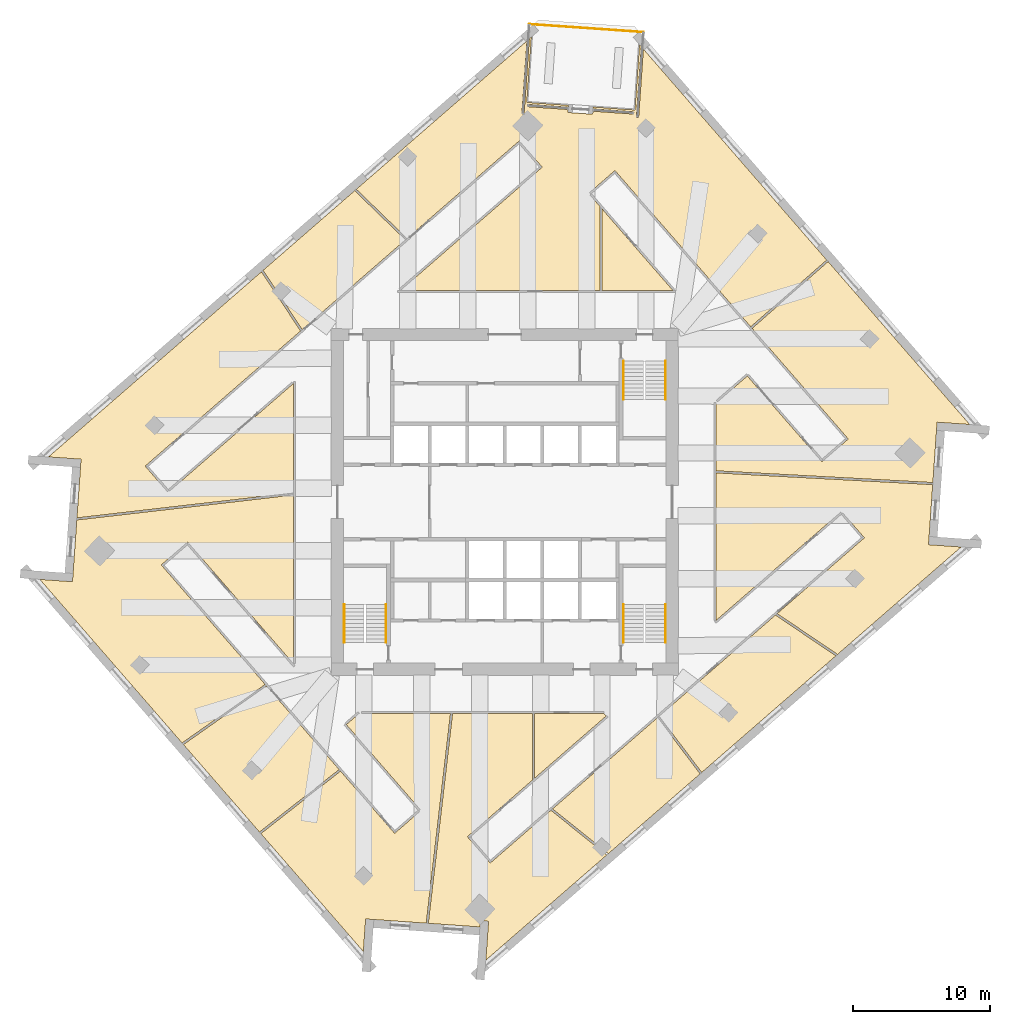
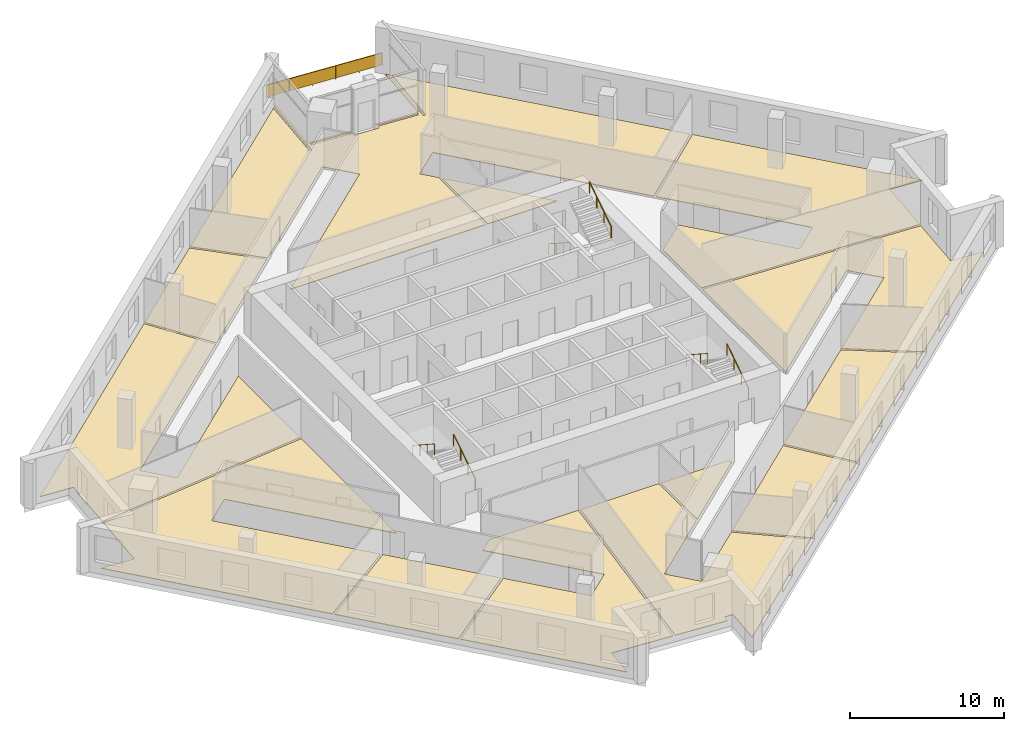
# One storey, part 10 of 11: 13 coverings, 7 railings.
"""IFC4 building model written with IfcOpenShell, lengths in metres."""

from ifc_helpers import new_model, si_unit, direction, frame, origin, origin_2d, place, context, subcontext, project, spatial, polyline, rectangle, circle, outline, extrude, material, layer, layer_set, type_object, element, save


model = new_model("IFC4")

# Units and contexts
model_context = context("Model", 3, precision=1e-05, world=origin(), true_north=direction((0.0, 1.0)))
body_context = subcontext(model_context, "Body", "Model", "MODEL_VIEW")
ifc_project = project(units=[si_unit("LENGTHUNIT", "METRE"), si_unit("AREAUNIT", "SQUARE_METRE"), si_unit("VOLUMEUNIT", "CUBIC_METRE"), si_unit("PLANEANGLEUNIT", "RADIAN"), si_unit("MASSUNIT", "GRAM", prefix="KILO")], contexts=[model_context])

# Site, building, storey
site_placement = place(None, origin())
site = spatial("IfcSite", under=ifc_project, at=site_placement, CompositionType="ELEMENT")
building_placement = place(site_placement, origin())
building = spatial("IfcBuilding", under=site, at=building_placement, Name="Dilmun Exchange Tower", CompositionType="ELEMENT")
storey_placement = place(building_placement, frame((0.0, 0.0, 189.300048828125)))
storey = spatial("IfcBuildingStorey", under=building, at=storey_placement, Name="L44", CompositionType="ELEMENT", Elevation=189.300048828125)

# Coverings
ifc_material_1 = material(Name="Carpet floor finish 50")
ifc_layer_1 = layer(ifc_material_1, 0.050048828125)
ifc_layer_set_1 = layer_set([ifc_layer_1], Name="Carpet floor finish 50")
covering_type_1 = type_object("IfcCoveringType", Name="Carpet floor finish 50", PredefinedType="FLOORING", material=ifc_layer_set_1)
covering_1_placement = place(storey_placement, origin())
element("IfcCovering", 1, at=covering_1_placement, inside=storey, type_object=covering_type_1, Name="Carpet floor finish 50 Members lounge", PredefinedType="FLOORING", context=body_context, shape_type="SweptSolid", body=[
    extrude(outline(polyline([(-23.210693359375, -2.935302734375), (-25.13525390625, -4.6083984375), (-17.530029296875, -13.357177734375), (-23.617919921875, -17.640625), (-34.026611328125, -5.666748046875), (-31.639404296875, -5.833740234375), (-31.63916015625, -5.833740234375), (-31.638916015625, -5.833740234375), (-31.638916015625, -5.833740234375), (-31.638671875, -5.833740234375), (-31.638427734375, -5.83349609375), (-31.63818359375, -5.83349609375), (-31.63818359375, -5.83349609375), (-31.637939453125, -5.833251953125), (-31.6376953125, -5.8330078125), (-31.6376953125, -5.8330078125), (-31.637451171875, -5.832763671875), (-31.637451171875, -5.832763671875), (-31.637451171875, -5.83251953125), (-31.63720703125, -5.832275390625), (-31.63720703125, -5.83203125), (-31.63720703125, -5.831787109375), (-31.595458984375, -5.23388671875), (-31.595458984375, -5.23388671875), (-31.595458984375, -5.233642578125), (-31.59521484375, -5.2333984375), (-31.321533203125, -1.318359375), (-15.47509765625, 0.508544921875), (-15.47509765625, -11.834228515625), (-23.210693359375, -2.935302734375)])), origin(), (0.0, 0.0, 1.0), 0.050048828125),
])
covering_2_placement = place(storey_placement, origin())
element("IfcCovering", 2, at=covering_2_placement, inside=storey, type_object=covering_type_1, Name="Carpet floor finish 50 Members library 1", PredefinedType="FLOORING", context=body_context, shape_type="SweptSolid", body=[
    extrude(outline(polyline([(-15.47509765625, 8.66650390625), (-15.47509765625, 0.659423828125), (-31.31103515625, -1.166259765625), (-31.052734375, 2.52587890625), (-31.052734375, 2.52587890625), (-31.010986328125, 3.124267578125), (-31.010986328125, 3.12451171875), (-31.010986328125, 3.124755859375), (-31.010986328125, 3.125), (-31.010986328125, 3.125), (-31.010986328125, 3.125244140625), (-31.01123046875, 3.12548828125), (-31.01123046875, 3.12548828125), (-31.011474609375, 3.125732421875), (-31.01171875, 3.1259765625), (-31.01171875, 3.126220703125), (-31.011962890625, 3.126220703125), (-31.01220703125, 3.126220703125), (-31.01220703125, 3.126220703125), (-31.012451171875, 3.12646484375), (-31.0126953125, 3.12646484375), (-31.0126953125, 3.12646484375), (-33.39990234375, 3.29345703125), (-17.8037109375, 16.851318359375), (-14.939453125, 12.5107421875), (-26.313232421875, 2.62353515625), (-24.640380859375, 0.69921875), (-15.47509765625, 8.66650390625)])), origin(), (0.0, 0.0, 1.0), 0.050048828125),
])
covering_3_placement = place(storey_placement, origin())
element("IfcCovering", 3, at=covering_3_placement, inside=storey, type_object=covering_type_1, Name="Carpet floor finish 50 Serviced office 1", PredefinedType="FLOORING", context=body_context, shape_type="SweptSolid", body=[
    extrude(outline(polyline([(-17.9521484375, -24.158203125), (-23.51904296875, -17.75439453125), (-17.430908203125, -13.470947265625), (-12.117919921875, -19.5830078125), (-17.9521484375, -24.158203125)])), origin(), (0.0, 0.0, 1.0), 0.050048828125),
])
covering_4_placement = place(storey_placement, origin())
element("IfcCovering", 4, at=covering_4_placement, inside=storey, type_object=covering_type_1, Name="Carpet floor finish 50 Serviced office 2", PredefinedType="FLOORING", context=body_context, shape_type="SweptSolid", body=[
    extrude(outline(polyline([(-14.8251953125, 12.610107421875), (-17.689453125, 16.950439453125), (-10.982421875, 22.78076171875), (-7.26611328125, 19.180908203125), (-14.8251953125, 12.610107421875)])), origin(), (0.0, 0.0, 1.0), 0.050048828125),
])
covering_5_placement = place(storey_placement, origin())
element("IfcCovering", 5, at=covering_5_placement, inside=storey, type_object=covering_type_1, Name="Carpet floor finish 50 Serviced office 3", PredefinedType="FLOORING", context=body_context, shape_type="SweptSolid", body=[
    extrude(outline(polyline([(-12.01953125, -19.6962890625), (-8.0615234375, -24.249267578125), (-6.13720703125, -22.576416015625), (-11.599609375, -16.29248046875), (-10.658935546875, -15.47509765625), (-3.972412109375, -15.47509765625), (-5.748291015625, -30.827392578125), (-9.57958984375, -30.5595703125), (-9.57958984375, -30.5595703125), (-9.57958984375, -30.5595703125), (-10.17822265625, -30.517578125), (-10.178466796875, -30.517578125), (-10.1787109375, -30.517578125), (-10.1787109375, -30.517578125), (-10.178955078125, -30.517822265625), (-10.17919921875, -30.517822265625), (-10.179443359375, -30.517822265625), (-10.179443359375, -30.51806640625), (-10.1796875, -30.518310546875), (-10.1796875, -30.518310546875), (-10.179931640625, -30.518310546875), (-10.18017578125, -30.5185546875), (-10.18017578125, -30.518798828125), (-10.18017578125, -30.51904296875), (-10.180419921875, -30.51904296875), (-10.180419921875, -30.519287109375), (-10.180419921875, -30.51953125), (-10.347412109375, -32.90673828125), (-17.853759765625, -24.271728515625), (-12.01953125, -19.6962890625)])), origin(), (0.0, 0.0, 1.0), 0.050048828125),
])
covering_6_placement = place(storey_placement, origin())
element("IfcCovering", 6, at=covering_6_placement, inside=storey, type_object=covering_type_1, Name="Carpet floor finish 50 Serviced office 4", PredefinedType="FLOORING", context=body_context, shape_type="SweptSolid", body=[
    extrude(outline(polyline([(-3.8212890625, -15.47509765625), (2.04248046875, -15.47509765625), (2.04248046875, -20.343017578125), (-2.737060546875, -24.497802734375), (-1.064208984375, -26.42236328125), (3.377197265625, -22.561767578125), (7.464111328125, -25.83935546875), (-1.386962890625, -33.533447265625), (-1.188232421875, -30.6904296875), (-1.188232421875, -30.690185546875), (-1.188232421875, -30.68994140625), (-1.188232421875, -30.689697265625), (-1.188232421875, -30.689697265625), (-1.1884765625, -30.689453125), (-1.1884765625, -30.689208984375), (-1.188720703125, -30.689208984375), (-1.188720703125, -30.68896484375), (-1.18896484375, -30.688720703125), (-1.18896484375, -30.688720703125), (-1.189208984375, -30.6884765625), (-1.189208984375, -30.6884765625), (-1.189453125, -30.6884765625), (-1.189697265625, -30.688232421875), (-1.18994140625, -30.688232421875), (-1.190185546875, -30.688232421875), (-1.78857421875, -30.646484375), (-1.788818359375, -30.646484375), (-1.7890625, -30.646484375), (-1.789306640625, -30.646484375), (-1.789306640625, -30.646484375), (-1.78955078125, -30.646484375), (-1.789794921875, -30.646484375), (-1.789794921875, -30.646728515625), (-1.7900390625, -30.64697265625), (-1.790283203125, -30.64697265625), (-1.790283203125, -30.647216796875), (-1.79052734375, -30.647216796875), (-1.79052734375, -30.6474609375), (-1.79052734375, -30.647705078125), (-1.790771484375, -30.64794921875), (-1.790771484375, -30.64794921875), (-1.790771484375, -30.648193359375), (-1.822509765625, -31.10205078125), (-5.598388671875, -30.837890625), (-3.8212890625, -15.47509765625)])), origin(), (0.0, 0.0, 1.0), 0.050048828125),
])
covering_7_placement = place(storey_placement, origin())
element("IfcCovering", 7, at=covering_7_placement, inside=storey, type_object=covering_type_1, Name="Carpet floor finish 50 Garden lounge", PredefinedType="FLOORING", context=body_context, shape_type="SweptSolid", body=[
    extrude(outline(polyline([(1.064208984375, 26.42236328125), (-7.152587890625, 19.27978515625), (-10.868896484375, 22.879638671875), (1.621826171875, 33.737548828125), (1.248291015625, 28.394775390625), (1.248291015625, 28.39453125), (1.248291015625, 28.394287109375), (1.248291015625, 28.394287109375), (1.248291015625, 28.39404296875), (1.248291015625, 28.393798828125), (1.24853515625, 28.393798828125), (1.24853515625, 28.3935546875), (1.248779296875, 28.393310546875), (1.248779296875, 28.393310546875), (1.2490234375, 28.39306640625), (1.2490234375, 28.39306640625), (1.249267578125, 28.392822265625), (1.24951171875, 28.392822265625), (1.249755859375, 28.392822265625), (1.25, 28.392578125), (1.25, 28.392578125), (1.40966796875, 28.381591796875), (1.409912109375, 28.381591796875), (1.41015625, 28.381591796875), (1.410400390625, 28.381591796875), (1.410400390625, 28.381591796875), (1.41064453125, 28.381591796875), (1.410888671875, 28.3818359375), (1.410888671875, 28.3818359375), (1.4111328125, 28.382080078125), (1.411376953125, 28.382080078125), (1.411376953125, 28.38232421875), (1.41162109375, 28.382568359375), (1.41162109375, 28.382568359375), (1.41162109375, 28.3828125), (1.41162109375, 28.383056640625), (1.411865234375, 28.38330078125), (1.411865234375, 28.38330078125), (1.796875, 33.8896484375), (1.949462890625, 34.0224609375), (1.614990234375, 29.239013671875), (4.669677734375, 29.025390625), (4.65966796875, 28.882568359375), (1.6796875, 29.091064453125), (1.6796875, 29.091064453125), (1.679443359375, 29.091064453125), (1.67919921875, 29.091064453125), (1.678955078125, 29.0908203125), (1.678955078125, 29.0908203125), (1.6787109375, 29.0908203125), (1.678466796875, 29.090576171875), (1.678466796875, 29.090576171875), (1.67822265625, 29.09033203125), (1.677978515625, 29.090087890625), (1.677978515625, 29.090087890625), (1.677978515625, 29.08984375), (1.677734375, 29.089599609375), (1.677734375, 29.089599609375), (1.677734375, 29.08935546875), (1.677734375, 29.089111328125), (1.66650390625, 28.929443359375), (1.66650390625, 28.92919921875), (1.66650390625, 28.92919921875), (1.66650390625, 28.928955078125), (1.66650390625, 28.9287109375), (1.666748046875, 28.9287109375), (1.666748046875, 28.928466796875), (1.6669921875, 28.92822265625), (1.6669921875, 28.927978515625), (1.6669921875, 28.927978515625), (1.667236328125, 28.927734375), (1.66748046875, 28.927734375), (1.66748046875, 28.927490234375), (1.667724609375, 28.927490234375), (1.66796875, 28.927490234375), (1.668212890625, 28.927490234375), (1.66845703125, 28.927490234375), (4.648193359375, 28.718994140625), (4.633056640625, 28.501708984375), (4.633056640625, 28.50146484375), (4.633056640625, 28.501220703125), (4.633056640625, 28.5009765625), (4.633056640625, 28.500732421875), (4.63330078125, 28.50048828125), (4.63330078125, 28.50048828125), (4.63330078125, 28.500244140625), (4.633544921875, 28.5), (4.633544921875, 28.5), (4.6337890625, 28.499755859375), (4.6337890625, 28.499755859375), (4.634033203125, 28.49951171875), (4.63427734375, 28.49951171875), (4.634521484375, 28.49951171875), (4.634521484375, 28.49951171875), (4.634765625, 28.49951171875), (6.430419921875, 28.373779296875), (6.4306640625, 28.373779296875), (6.430908203125, 28.373779296875), (6.430908203125, 28.3740234375), (6.43115234375, 28.3740234375), (6.431396484375, 28.3740234375), (6.431640625, 28.374267578125), (6.431640625, 28.374267578125), (6.431884765625, 28.37451171875), (6.431884765625, 28.37451171875), (6.43212890625, 28.374755859375), (6.432373046875, 28.375), (6.432373046875, 28.375), (6.4326171875, 28.375244140625), (6.4326171875, 28.37548828125), (6.4326171875, 28.37548828125), (6.4326171875, 28.375732421875), (6.44775390625, 28.59326171875), (9.427490234375, 28.384765625), (9.427734375, 28.384765625), (9.427978515625, 28.384765625), (9.42822265625, 28.384765625), (9.428466796875, 28.385009765625), (9.428466796875, 28.385009765625), (9.4287109375, 28.385009765625), (9.428955078125, 28.38525390625), (9.428955078125, 28.38525390625), (9.42919921875, 28.385498046875), (9.42919921875, 28.385498046875), (9.429443359375, 28.3857421875), (9.429443359375, 28.385986328125), (9.4296875, 28.385986328125), (9.4296875, 28.38623046875), (9.4296875, 28.386474609375), (9.4296875, 28.38671875), (9.44091796875, 28.54638671875), (9.44091796875, 28.54638671875), (9.44091796875, 28.546630859375), (9.44091796875, 28.546875), (9.44091796875, 28.547119140625), (9.440673828125, 28.547119140625), (9.440673828125, 28.54736328125), (9.4404296875, 28.547607421875), (9.4404296875, 28.547607421875), (9.440185546875, 28.5478515625), (9.440185546875, 28.548095703125), (9.43994140625, 28.548095703125), (9.439697265625, 28.548095703125), (9.439697265625, 28.54833984375), (9.439453125, 28.54833984375), (9.439208984375, 28.54833984375), (9.43896484375, 28.54833984375), (6.459228515625, 28.7568359375), (6.46923828125, 28.8994140625), (9.523681640625, 28.685791015625), (9.8583984375, 33.46923828125), (9.990966796875, 33.316650390625), (9.6298828125, 28.152099609375), (9.6298828125, 28.152099609375), (9.6298828125, 28.15185546875), (9.6298828125, 28.151611328125), (9.6298828125, 28.1513671875), (9.630126953125, 28.1513671875), (9.630126953125, 28.151123046875), (9.63037109375, 28.15087890625), (9.63037109375, 28.15087890625), (9.630615234375, 28.150634765625), (9.630615234375, 28.150390625), (9.630859375, 28.150390625), (9.631103515625, 28.150390625), (9.631103515625, 28.150146484375), (9.63134765625, 28.150146484375), (9.631591796875, 28.150146484375), (9.6318359375, 28.150146484375), (9.79150390625, 28.138916015625), (9.79150390625, 28.138916015625), (9.791748046875, 28.138916015625), (9.7919921875, 28.138916015625), (9.7919921875, 28.138916015625), (9.792236328125, 28.13916015625), (9.79248046875, 28.13916015625), (9.792724609375, 28.139404296875), (9.792724609375, 28.139404296875), (9.79296875, 28.139404296875), (9.793212890625, 28.1396484375), (9.793212890625, 28.139892578125), (9.793212890625, 28.139892578125), (9.79345703125, 28.14013671875), (9.79345703125, 28.140380859375), (9.79345703125, 28.140625), (9.79345703125, 28.140869140625), (10.143310546875, 33.1416015625), (23.561279296875, 17.705810546875), (18.0, 12.81640625), (8.0615234375, 24.249267578125), (6.13720703125, 22.576416015625), (6.97998046875, 21.606689453125), (6.97998046875, 15.47509765625), (-7.642578125, 15.47509765625), (2.737060546875, 24.497802734375), (1.064208984375, 26.42236328125)])), origin(), (0.0, 0.0, 1.0), 0.050048828125),
])
covering_8_placement = place(storey_placement, origin())
element("IfcCovering", 8, at=covering_8_placement, inside=storey, type_object=covering_type_1, Name="Carpet floor finish 50 Serviced office 5", PredefinedType="FLOORING", context=body_context, shape_type="SweptSolid", body=[
    extrude(outline(polyline([(11.18408203125, -15.775146484375), (14.29931640625, -19.8974609375), (7.5791015625, -25.739501953125), (3.4921875, -22.461669921875), (11.18408203125, -15.775146484375)])), origin(), (0.0, 0.0, 1.0), 0.050048828125),
])
covering_9_placement = place(storey_placement, origin())
element("IfcCovering", 9, at=covering_9_placement, inside=storey, type_object=covering_type_1, Name="Carpet floor finish 50 Serviced office 6", PredefinedType="FLOORING", context=body_context, shape_type="SweptSolid", body=[
    extrude(outline(polyline([(11.297607421875, -15.676513671875), (19.8125, -8.27490234375), (24.234130859375, -11.26123046875), (14.41259765625, -19.798828125), (11.297607421875, -15.676513671875)])), origin(), (0.0, 0.0, 1.0), 0.050048828125),
])
covering_10_placement = place(storey_placement, origin())
element("IfcCovering", 10, at=covering_10_placement, inside=storey, type_object=covering_type_1, Name="Carpet floor finish 50 Serviced office 7", PredefinedType="FLOORING", context=body_context, shape_type="SweptSolid", body=[
    extrude(outline(polyline([(19.929443359375, -8.1728515625), (26.313232421875, -2.62353515625), (24.640380859375, -0.69921875), (15.47509765625, -8.66650390625), (15.47509765625, 2.127685546875), (31.318115234375, 1.269287109375), (31.052734375, -2.52587890625), (31.052734375, -2.52587890625), (31.010986328125, -3.124267578125), (31.010986328125, -3.12451171875), (31.010986328125, -3.124755859375), (31.010986328125, -3.125), (31.010986328125, -3.125), (31.010986328125, -3.125244140625), (31.01123046875, -3.12548828125), (31.01123046875, -3.12548828125), (31.011474609375, -3.125732421875), (31.01171875, -3.1259765625), (31.01171875, -3.126220703125), (31.011962890625, -3.126220703125), (31.01220703125, -3.126220703125), (31.01220703125, -3.126220703125), (31.012451171875, -3.12646484375), (31.0126953125, -3.12646484375), (31.0126953125, -3.12646484375), (33.39990234375, -3.29345703125), (24.351318359375, -11.159423828125), (19.929443359375, -8.1728515625)])), origin(), (0.0, 0.0, 1.0), 0.050048828125),
])
covering_11_placement = place(storey_placement, origin())
element("IfcCovering", 11, at=covering_11_placement, inside=storey, type_object=covering_type_1, Name="Carpet floor finish 50 Members library 2", PredefinedType="FLOORING", context=body_context, shape_type="SweptSolid", body=[
    extrude(outline(polyline([(17.748291015625, 9.218994140625), (23.210693359375, 2.935302734375), (25.13525390625, 4.6083984375), (18.0986328125, 12.703125), (23.659912109375, 17.592529296875), (34.026611328125, 5.666748046875), (31.639404296875, 5.833740234375), (31.63916015625, 5.833740234375), (31.638916015625, 5.833740234375), (31.638916015625, 5.833740234375), (31.638671875, 5.833740234375), (31.638427734375, 5.83349609375), (31.63818359375, 5.83349609375), (31.63818359375, 5.83349609375), (31.637939453125, 5.833251953125), (31.6376953125, 5.8330078125), (31.6376953125, 5.8330078125), (31.637451171875, 5.832763671875), (31.637451171875, 5.832763671875), (31.637451171875, 5.83251953125), (31.63720703125, 5.832275390625), (31.63720703125, 5.83203125), (31.63720703125, 5.831787109375), (31.595458984375, 5.23388671875), (31.595458984375, 5.23388671875), (31.595458984375, 5.233642578125), (31.59521484375, 5.2333984375), (31.32861328125, 1.4189453125), (15.47509765625, 2.278076171875), (15.47509765625, 7.242919921875), (17.748291015625, 9.218994140625)])), origin(), (0.0, 0.0, 1.0), 0.050048828125),
])

# Railings
ifc_material_2 = material(Name="Stainless steel", Category="steel")
railing_type_1 = type_object("IfcRailingType", Name="Stair handrail 900", PredefinedType="HANDRAIL", material=ifc_material_2)
railing_1_placement = place(storey_placement, frame((8.699951171875, 10.300048828125, 0.181884765625)))
element("IfcRailing", 12, at=railing_1_placement, inside=storey, type_object=railing_type_1, Name="L44 ST1 stair handrail 1", PredefinedType="HANDRAIL", context=body_context, shape_type="SweptSolid", body=[
    extrude(circle(Radius=0.02392578125, at=origin_2d()), frame((0.0, 0.0, 0.8759765625), z_axis=(0.0, -0.838705829183, 0.544584733623), x_axis=(1.0, 0.0, 0.0)), (0.0, 0.0, 1.0), 3.338623046875),
    extrude(circle(Radius=0.02099609375, at=origin_2d()), origin(), (0.0, 0.0, 1.0), 0.851806640625),
    extrude(circle(Radius=0.02099609375, at=origin_2d()), frame((0.0, -0.933349609375, 0.60595703125)), (0.0, 0.0, 1.0), 0.851806640625),
    extrude(circle(Radius=0.02099609375, at=origin_2d()), frame((0.0, -1.86669921875, 1.212158203125)), (0.0, 0.0, 1.0), 0.851806640625),
    extrude(circle(Radius=0.02099609375, at=origin_2d()), frame((0.0, -2.800048828125, 1.818115234375)), (0.0, 0.0, 1.0), 0.851806640625),
])
for number, where, name in (
    (13, (11.75, 7.5, 2.181884765625), "L44 ST1 stair handrail 2"),
    (14, (-8.699951171875, -10.300048828125, 0.181884765625), "L44 ST2 stair handrail 1"),
):
    element("IfcRailing", number, at=place(storey_placement, frame(where)), inside=storey, type_object=railing_type_1, Name=name, PredefinedType="HANDRAIL", context=body_context, shape_type="SweptSolid", body=[
        extrude(circle(Radius=0.02392578125, at=origin_2d()), frame((0.0, 0.0, 0.8759765625), z_axis=(0.0, 0.838705829183, 0.544584733623), x_axis=(-1.0, 0.0, 0.0)), (0.0, 0.0, 1.0), 3.338623046875),
        extrude(circle(Radius=0.02099609375, at=origin_2d()), origin(), (0.0, 0.0, 1.0), 0.851806640625),
        extrude(circle(Radius=0.02099609375, at=origin_2d()), frame((0.0, 0.933349609375, 0.60595703125)), (0.0, 0.0, 1.0), 0.851806640625),
        extrude(circle(Radius=0.02099609375, at=origin_2d()), frame((0.0, 1.86669921875, 1.212158203125)), (0.0, 0.0, 1.0), 0.851806640625),
        extrude(circle(Radius=0.02099609375, at=origin_2d()), frame((0.0, 2.800048828125, 1.818115234375)), (0.0, 0.0, 1.0), 0.851806640625),
    ])
railing_2_placement = place(storey_placement, frame((-11.75, -7.5, 2.181884765625)))
element("IfcRailing", 15, at=railing_2_placement, inside=storey, type_object=railing_type_1, Name="L44 ST2 stair handrail 2", PredefinedType="HANDRAIL", context=body_context, shape_type="SweptSolid", body=[
    extrude(circle(Radius=0.02392578125, at=origin_2d()), frame((0.0, 0.0, 0.8759765625), z_axis=(0.0, -0.838705829183, 0.544584733623), x_axis=(1.0, 0.0, 0.0)), (0.0, 0.0, 1.0), 3.338623046875),
    extrude(circle(Radius=0.02099609375, at=origin_2d()), origin(), (0.0, 0.0, 1.0), 0.851806640625),
    extrude(circle(Radius=0.02099609375, at=origin_2d()), frame((0.0, -0.933349609375, 0.60595703125)), (0.0, 0.0, 1.0), 0.851806640625),
    extrude(circle(Radius=0.02099609375, at=origin_2d()), frame((0.0, -1.86669921875, 1.212158203125)), (0.0, 0.0, 1.0), 0.851806640625),
    extrude(circle(Radius=0.02099609375, at=origin_2d()), frame((0.0, -2.800048828125, 1.818115234375)), (0.0, 0.0, 1.0), 0.851806640625),
])
railing_3_placement = place(storey_placement, frame((11.75, -10.300048828125, 0.181884765625)))
element("IfcRailing", 16, at=railing_3_placement, inside=storey, type_object=railing_type_1, Name="L44 ST3 stair handrail 1", PredefinedType="HANDRAIL", context=body_context, shape_type="SweptSolid", body=[
    extrude(circle(Radius=0.02392578125, at=origin_2d()), frame((0.0, 0.0, 0.8759765625), z_axis=(0.0, 0.838705829183, 0.544584733623), x_axis=(-1.0, 0.0, 0.0)), (0.0, 0.0, 1.0), 3.338623046875),
    extrude(circle(Radius=0.02099609375, at=origin_2d()), origin(), (0.0, 0.0, 1.0), 0.851806640625),
    extrude(circle(Radius=0.02099609375, at=origin_2d()), frame((0.0, 0.933349609375, 0.60595703125)), (0.0, 0.0, 1.0), 0.851806640625),
    extrude(circle(Radius=0.02099609375, at=origin_2d()), frame((0.0, 1.86669921875, 1.212158203125)), (0.0, 0.0, 1.0), 0.851806640625),
    extrude(circle(Radius=0.02099609375, at=origin_2d()), frame((0.0, 2.800048828125, 1.818115234375)), (0.0, 0.0, 1.0), 0.851806640625),
])
railing_4_placement = place(storey_placement, frame((8.699951171875, -7.5, 2.181884765625)))
element("IfcRailing", 17, at=railing_4_placement, inside=storey, type_object=railing_type_1, Name="L44 ST3 stair handrail 2", PredefinedType="HANDRAIL", context=body_context, shape_type="SweptSolid", body=[
    extrude(circle(Radius=0.02392578125, at=origin_2d()), frame((0.0, 0.0, 0.8759765625), z_axis=(0.0, -0.838705829183, 0.544584733623), x_axis=(1.0, 0.0, 0.0)), (0.0, 0.0, 1.0), 3.338623046875),
    extrude(circle(Radius=0.02099609375, at=origin_2d()), origin(), (0.0, 0.0, 1.0), 0.851806640625),
    extrude(circle(Radius=0.02099609375, at=origin_2d()), frame((0.0, -0.933349609375, 0.60595703125)), (0.0, 0.0, 1.0), 0.851806640625),
    extrude(circle(Radius=0.02099609375, at=origin_2d()), frame((0.0, -1.86669921875, 1.212158203125)), (0.0, 0.0, 1.0), 0.851806640625),
    extrude(circle(Radius=0.02099609375, at=origin_2d()), frame((0.0, -2.800048828125, 1.818115234375)), (0.0, 0.0, 1.0), 0.851806640625),
])
railing_type_2 = type_object("IfcRailingType", Name="Terrace guard 1100 stainless steel", PredefinedType="GUARDRAIL", material=ifc_material_2)
railing_5_placement = place(storey_placement, frame((1.78955078125, 34.962158203125, 0.0)))
element("IfcRailing", 18, at=railing_5_placement, inside=storey, type_object=railing_type_2, Name="Terrace guard 1", PredefinedType="GUARDRAIL", context=body_context, shape_type="SweptSolid", body=[
    extrude(circle(Radius=0.02392578125, at=origin_2d()), frame((0.0, 0.0, 1.076171875), z_axis=(0.997563795734, -0.069760113542, 0.0), x_axis=(0.069760113542, 0.997563795734, 0.0)), (0.0, 0.0, 1.0), 8.37841796875),
    extrude(rectangle(XDim=0.011962890625, YDim=0.951904296875, at=origin_2d()), frame((0.0, 0.0, 0.576171875), z_axis=(0.997563795734, -0.069760113542, 0.0), x_axis=(0.069760113542, 0.997563795734, 0.0)), (0.0, 0.0, 1.0), 8.37841796875),
    extrude(circle(Radius=0.02099609375, at=origin_2d()), origin(), (0.0, 0.0, 1.0), 1.052001953125),
    extrude(circle(Radius=0.02099609375, at=origin_2d()), frame((1.671630859375, -0.116943359375, 0.0)), (0.0, 0.0, 1.0), 1.052001953125),
    extrude(circle(Radius=0.02099609375, at=origin_2d()), frame((3.34326171875, -0.23388671875, 0.0)), (0.0, 0.0, 1.0), 1.052001953125),
    extrude(circle(Radius=0.02099609375, at=origin_2d()), frame((5.0146484375, -0.3505859375, 0.0)), (0.0, 0.0, 1.0), 1.052001953125),
    extrude(circle(Radius=0.02099609375, at=origin_2d()), frame((6.686279296875, -0.467529296875, 0.0)), (0.0, 0.0, 1.0), 1.052001953125),
    extrude(circle(Radius=0.02099609375, at=origin_2d()), frame((8.35791015625, -0.58447265625, 0.0)), (0.0, 0.0, 1.0), 1.052001953125),
])

# Coverings
ifc_material_3 = material(Name="Tile floor finish 50")
ifc_layer_2 = layer(ifc_material_3, 0.050048828125)
ifc_layer_set_2 = layer_set([ifc_layer_2], Name="Tile floor finish 50")
covering_type_2 = type_object("IfcCoveringType", Name="Tile floor finish 50", PredefinedType="FLOORING", material=ifc_layer_set_2)
covering_12_placement = place(storey_placement, origin())
element("IfcCovering", 19, at=covering_12_placement, inside=storey, type_object=covering_type_2, Name="Tile floor finish 50 Pantry 1", PredefinedType="FLOORING", context=body_context, shape_type="SweptSolid", body=[
    extrude(outline(polyline([(2.1923828125, -15.47509765625), (7.242919921875, -15.47509765625), (7.414794921875, -15.6728515625), (2.1923828125, -20.212646484375), (2.1923828125, -15.47509765625)])), origin(), (0.0, 0.0, 1.0), 0.050048828125),
])
covering_13_placement = place(storey_placement, origin())
element("IfcCovering", 20, at=covering_13_placement, inside=storey, type_object=covering_type_2, Name="Tile floor finish 50 Pantry 2", PredefinedType="FLOORING", context=body_context, shape_type="SweptSolid", body=[
    extrude(outline(polyline([(7.1298828125, 21.434326171875), (12.310302734375, 15.47509765625), (7.1298828125, 15.47509765625), (7.1298828125, 21.434326171875)])), origin(), (0.0, 0.0, 1.0), 0.050048828125),
])

save(model, "model.ifc")
